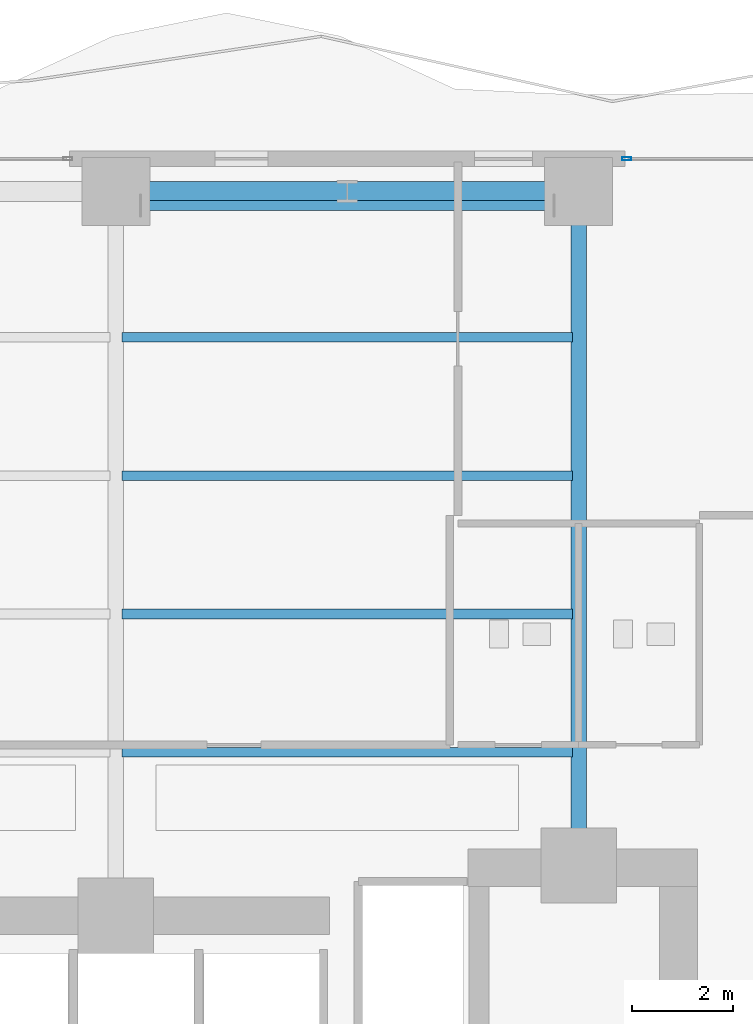
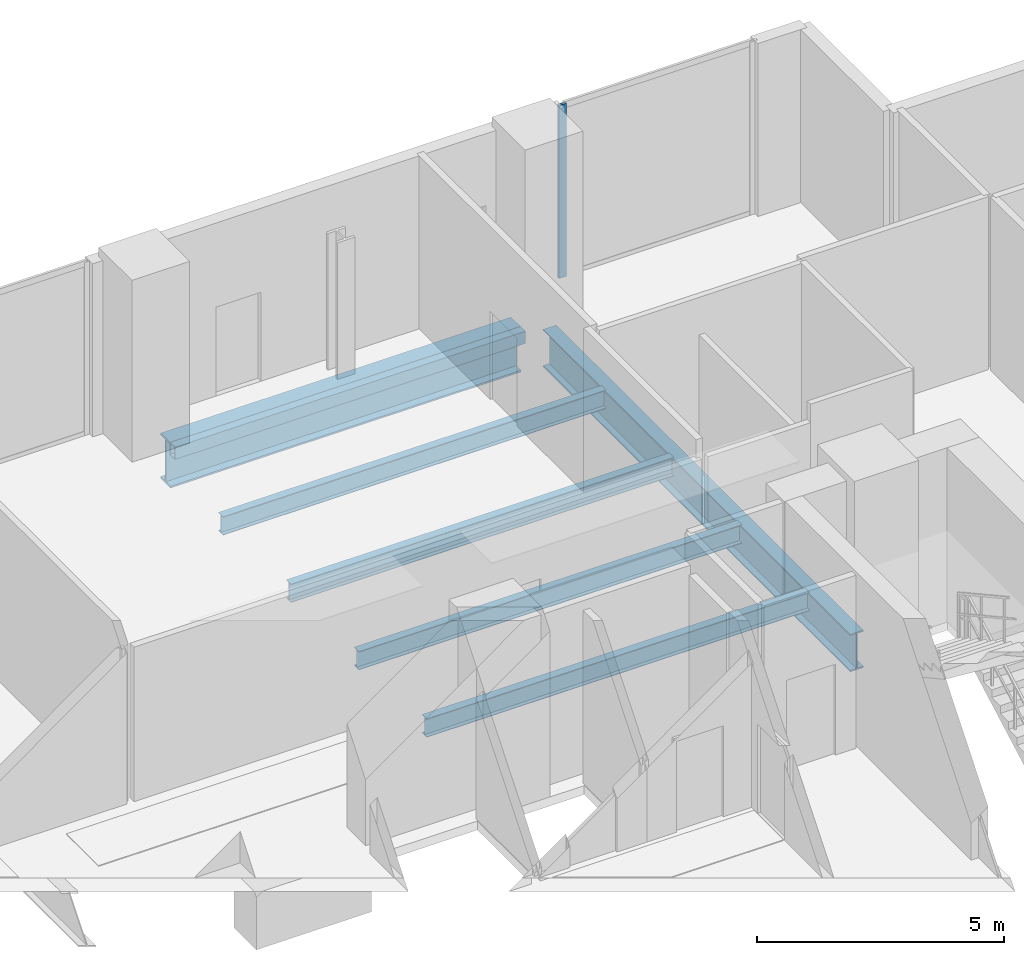
# One storey, part 21 of 33: 7 beams, 1 member, 1 element without a shape of its own.
"""IFC4 building model written with IfcOpenShell, lengths in metres."""

from ifc_helpers import new_model, si_unit, direction, frame, origin, origin_2d, place, context, subcontext, project, spatial, hollow_rectangle, i_section, extrude, material, layer, layer_set, material_profile, profile_set, type_object, element, aggregate, save


model = new_model("IFC4")

# Units and contexts
model_context = context("Model", 3, precision=1e-05, world=origin(), true_north=direction((0.0, 1.0)))
body_context = subcontext(model_context, "Body", "Model", "MODEL_VIEW")
ifc_project = project(units=[si_unit("LENGTHUNIT", "METRE"), si_unit("AREAUNIT", "SQUARE_METRE"), si_unit("VOLUMEUNIT", "CUBIC_METRE"), si_unit("PLANEANGLEUNIT", "RADIAN"), si_unit("MASSUNIT", "GRAM", prefix="KILO")], contexts=[model_context])

# Site, building, storey
site_placement = place(None, origin())
site = spatial("IfcSite", under=ifc_project, at=site_placement, CompositionType="ELEMENT")
building_placement = place(site_placement, origin())
building = spatial("IfcBuilding", under=site, at=building_placement, Name="Zuhayl Quay Hotel", CompositionType="ELEMENT")
storey_placement = place(building_placement, frame((0.0, 0.0, 154.050048828125)))
storey = spatial("IfcBuildingStorey", under=building, at=storey_placement, Name="L39", CompositionType="ELEMENT", Elevation=154.050048828125)

# Beams
ifc_material_1 = material(Name="Steel ASTM A992 Grade 50", Category="steel")
ifc_material_profile_1 = material_profile(ifc_material_1, i_section(OverallWidth=0.18994140625, OverallDepth=0.45703125, WebThickness=0.009033203125, FlangeThickness=0.014404296875, at=origin_2d()), Name="W18X50")
ifc_profile_set_1 = profile_set([ifc_material_profile_1], Name="Steel ASTM A992 Grade 50")
beam_type_1 = type_object("IfcBeamType", Name="BM_J2_W18X50", PredefinedType="JOIST", material=ifc_profile_set_1)
for number, where, z_axis, x_axis, name in (
    (1, (4.718994140625, 16.60009765625, -0.448486328125), (1.0, 0.0, 0.0), (0.0, 1.0, 0.0), "L39 Floor Beam FJ_L39_1_3"),
    (2, (4.718994140625, 19.35009765625, -0.448486328125), (1.0, 0.0, 0.0), (0.0, 1.0, 0.0), "L39 Floor Beam FJ_L39_2_3"),
    (3, (4.718994140625, 22.10009765625, -0.448486328125), (1.0, 0.0, 0.0), (0.0, 1.0, 0.0), "L39 Floor Beam FJ_L39_3_3"),
    (4, (4.718994140625, 24.85009765625, -0.448486328125), (1.0, 0.0, 0.0), (0.0, 1.0, 0.0), "L39 Floor Beam FJ_L39_4_3"),
):
    element("IfcBeam", number, at=place(storey_placement, frame(where, z_axis=z_axis, x_axis=x_axis)), inside=storey, type_object=beam_type_1, Name=name, PredefinedType="JOIST", context=body_context, shape_type="SweptSolid", body=[
        extrude(i_section(OverallWidth=0.18994140625, OverallDepth=0.45703125, WebThickness=0.009033203125, FlangeThickness=0.014404296875, at=origin_2d()), origin(), (0.0, 0.0, 1.0), 8.9619140625),
    ])
ifc_material_profile_2 = material_profile(ifc_material_1, i_section(OverallWidth=0.306884765625, OverallDepth=0.927001953125, WebThickness=0.019287109375, FlangeThickness=0.031982421875, at=origin_2d()), Name="W36X194")
ifc_profile_set_2 = profile_set([ifc_material_profile_2], Name="Steel ASTM A992 Grade 50")
beam_type_2 = type_object("IfcBeamType", Name="BM_PG2_W36X194", PredefinedType="BEAM", material=ifc_profile_set_2)
beam_1_placement = place(storey_placement, frame((13.800048828125, 14.800048828125, -0.68359375), z_axis=(0.0, 1.0, 0.0), x_axis=(-1.0, 0.0, 0.0)))
element("IfcBeam", 5, at=beam_1_placement, inside=storey, type_object=beam_type_2, Name="L39 Floor Beam FG_N_L39_4", PredefinedType="BEAM", context=body_context, shape_type="SweptSolid", body=[
    extrude(i_section(OverallWidth=0.306884765625, OverallDepth=0.927001953125, WebThickness=0.019287109375, FlangeThickness=0.031982421875, at=origin_2d()), origin(), (0.0, 0.0, 1.0), 12.449951171875),
])
ifc_material_2 = material(Name="Steel ASTM A500 Grade C", Category="steel")
ifc_material_profile_3 = material_profile(ifc_material_2, hollow_rectangle(XDim=0.199951171875, YDim=0.300048828125, WallThickness=0.012451171875, at=origin_2d()), Name="HSS300X200X12")
ifc_profile_set_3 = profile_set([ifc_material_profile_3], Name="Steel ASTM A500 Grade C")
beam_type_3 = type_object("IfcBeamType", Name="BM_SP1_HSS300", PredefinedType="SPANDREL", material=ifc_profile_set_3)
beam_2_placement = place(storey_placement, frame((5.10009765625, 27.469970703125, -0.3701171875), z_axis=(1.0, 0.0, 0.0), x_axis=(0.0, 1.0, 0.0)))
element("IfcBeam", 6, at=beam_2_placement, inside=storey, type_object=beam_type_3, Name="L39 Perimeter Spandrel Beam SP1-2", PredefinedType="SPANDREL", context=body_context, shape_type="SweptSolid", body=[
    extrude(hollow_rectangle(XDim=0.199951171875, YDim=0.300048828125, WallThickness=0.012451171875, at=origin_2d()), origin(), (0.0, 0.0, 1.0), 8.199951171875),
])
ifc_material_3 = material(Name="Steel ASTM A913 Grade 65", Category="steel")
ifc_material_profile_4 = material_profile(ifc_material_3, i_section(OverallWidth=0.404052734375, OverallDepth=1.117919921875, WebThickness=0.026123046875, FlangeThickness=0.044921875, at=origin_2d()), Name="W44X335")
ifc_profile_set_4 = profile_set([ifc_material_profile_4], Name="Steel ASTM A913 Grade 65")
beam_type_4 = type_object("IfcBeamType", Name="BM_TG1_W44X335", PredefinedType="BEAM", material=ifc_profile_set_4)
beam_3_placement = place(storey_placement, frame((13.300048828125, 27.75, -0.779052734375), z_axis=(-1.0, 0.0, 0.0), x_axis=(0.0, -1.0, 0.0)))
element("IfcBeam", 7, at=beam_3_placement, inside=storey, type_object=beam_type_4, Name="L39 Floor Beam RG_L39_07", PredefinedType="BEAM", context=body_context, shape_type="SweptSolid", body=[
    extrude(i_section(OverallWidth=0.404052734375, OverallDepth=1.117919921875, WebThickness=0.026123046875, FlangeThickness=0.044921875, at=origin_2d()), origin(), (0.0, 0.0, 1.0), 8.199951171875),
])

# Curtain wall, member
ifc_material_4 = material(Name="Anodised Aluminium 6063-T6", Category="aluminium")
ifc_layer = layer(ifc_material_4, 0.179931640625, Name="Anodised Aluminium 6063-T6", Category="aluminium")
ifc_layer_set = layer_set([ifc_layer], Name="Anodised Aluminium 6063-T6")
curtain_wall_type = type_object("IfcCurtainWallType", Name="CW_SYS_Z2", PredefinedType="USERDEFINED", material=ifc_layer_set)
curtain_wall_placement = place(storey_placement, origin())
curtain_wall = element("IfcCurtainWall", 8, at=curtain_wall_placement, inside=storey, type_object=curtain_wall_type, Name="L39 Curtain Wall ENV_L39_N_CW4", ObjectType="UNITISED CURTAIN WALL", PredefinedType="USERDEFINED")
ifc_material_5 = material(Name="Black-anodised aluminium 6063-T6", Category="aluminium")
ifc_material_profile_5 = material_profile(ifc_material_5, hollow_rectangle(XDim=0.06494140625, YDim=0.179931640625, WallThickness=0.00341796875, at=origin_2d()), Name="ALU180X65")
ifc_profile_set_5 = profile_set([ifc_material_profile_5], Name="Black-anodised aluminium 6063-T6")
member_type = type_object("IfcMemberType", Name="MB_CW_MUL_180", PredefinedType="MULLION", material=ifc_profile_set_5)
member_placement = place(storey_placement, frame((14.75244140625, 28.39990234375, 0.0), z_axis=(0.0, 0.0, 1.0), x_axis=(0.0, 1.0, 0.0)))
member = element("IfcMember", 9, at=member_placement, type_object=member_type, Name="CW-Z2 mullion 1", PredefinedType="MULLION", context=body_context, shape_type="SweptSolid", body=[
    extrude(hollow_rectangle(XDim=0.06494140625, YDim=0.179931640625, WallThickness=0.00341796875, at=origin_2d()), origin(), (0.0, 0.0, 1.0), 4.280029296875),
])
aggregate(curtain_wall, [member])

save(model, "model.ifc")
